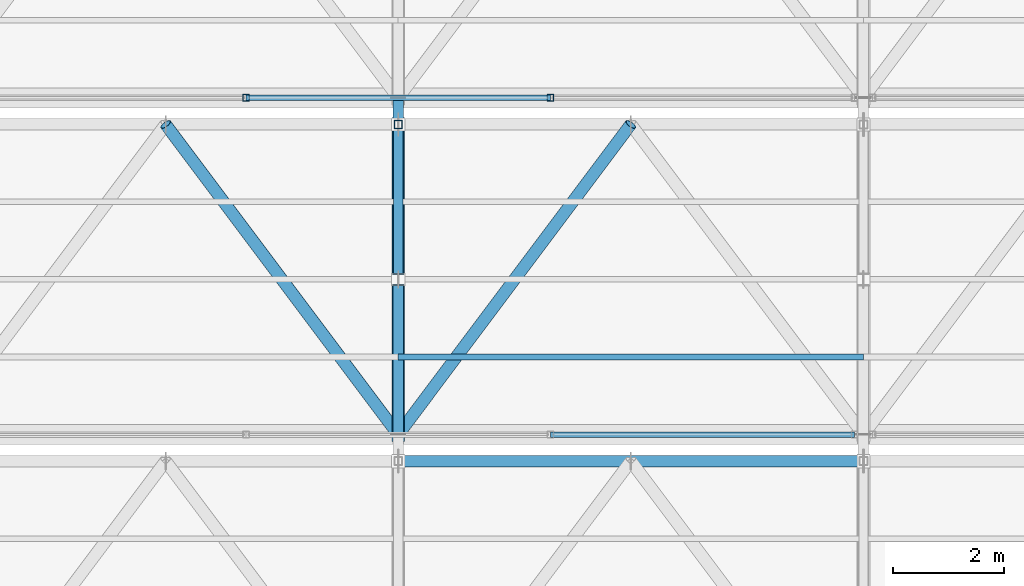
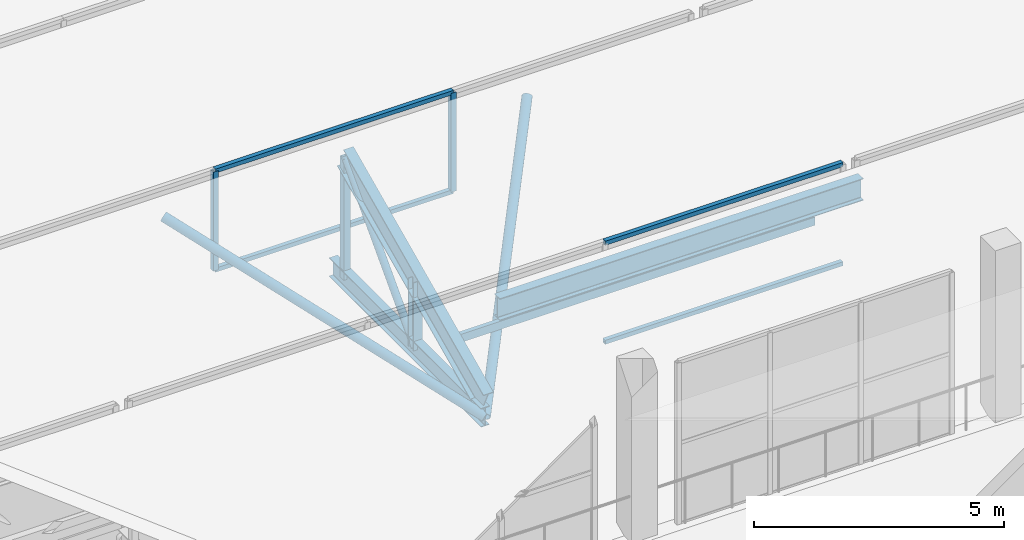
# One storey, part 92 of 217: 15 members, 2 elements without a shape of their own.
"""IFC4 building model written with IfcOpenShell, lengths in metres."""

from ifc_helpers import new_model, si_unit, direction, frame, origin, origin_2d, place, context, subcontext, project, spatial, hollow_rectangle, hollow_circle, i_section, extrude, material, material_profile, profile_set, type_object, element, aggregate, save


model = new_model("IFC4")

# Units and contexts
model_context = context("Model", 3, precision=1e-05, world=origin(), true_north=direction((0.0, 1.0)))
body_context = subcontext(model_context, "Body", "Model", "MODEL_VIEW")
ifc_project = project(units=[si_unit("LENGTHUNIT", "METRE"), si_unit("AREAUNIT", "SQUARE_METRE"), si_unit("VOLUMEUNIT", "CUBIC_METRE"), si_unit("PLANEANGLEUNIT", "RADIAN"), si_unit("MASSUNIT", "GRAM", prefix="KILO")], contexts=[model_context])

# Site, building, storey
site_placement = place(None, origin())
site = spatial("IfcSite", under=ifc_project, at=site_placement, CompositionType="ELEMENT")
building_placement = place(site_placement, origin())
building = spatial("IfcBuilding", under=site, at=building_placement, Name="Zuvorla Pavilion Media Centre", CompositionType="ELEMENT")
storey_placement = place(building_placement, frame((0.0, 0.0, 9.60009765625)))
storey = spatial("IfcBuildingStorey", under=building, at=storey_placement, Name="L02", CompositionType="ELEMENT", Elevation=9.60009765625)

# Curtain wall, members
ifc_material_1 = material(Name="Unitised anodised aluminium and solar glass curtain wall", Category="aluminium")
curtain_wall_type = type_object("IfcCurtainWallType", Name="CW-SYS-88", PredefinedType="USERDEFINED", material=ifc_material_1)
curtain_wall_1_placement = place(storey_placement, origin())
curtain_wall_1 = element("IfcCurtainWall", 1, at=curtain_wall_1_placement, inside=storey, type_object=curtain_wall_type, Name="L02 curtain wall CW88 206", ObjectType="CURTAIN WALL", PredefinedType="USERDEFINED")
ifc_material_2 = material(Name="Anodised aluminium 6063-T6", Category="aluminium")
ifc_material_profile_1 = material_profile(ifc_material_2, hollow_rectangle(XDim=0.1201171875, YDim=0.1201171875, WallThickness=0.0048828125, at=origin_2d()), Name="ALU MULL 120x120")
ifc_profile_set_1 = profile_set([ifc_material_profile_1], Name="Anodised aluminium 6063-T6")
member_type_1 = type_object("IfcMemberType", Name="CW-MULL-120", PredefinedType="MULLION", material=ifc_profile_set_1)
member_1_placement = place(storey_placement, frame((106.05322265625, 101.760009765625, 0.0), z_axis=(0.0, 0.0, 1.0), x_axis=(1.0, 0.0, 0.0)))
member_1 = element("IfcMember", 2, at=member_1_placement, type_object=member_type_1, Name="CW88 mullion 2", PredefinedType="MULLION", context=body_context, shape_type="SweptSolid", body=[
    extrude(hollow_rectangle(XDim=0.1201171875, YDim=0.1201171875, WallThickness=0.0048828125, at=origin_2d()), origin(), (0.0, 0.0, 1.0), 2.419921875),
])
member_2_placement = place(storey_placement, frame((111.546630859375, 101.760009765625, 0.0), z_axis=(0.0, 0.0, 1.0), x_axis=(1.0, 0.0, 0.0)))
member_2 = element("IfcMember", 3, at=member_2_placement, type_object=member_type_1, Name="CW88 mullion 3", PredefinedType="MULLION", context=body_context, shape_type="SweptSolid", body=[
    extrude(hollow_rectangle(XDim=0.1201171875, YDim=0.1201171875, WallThickness=0.0048828125, at=origin_2d()), origin(), (0.0, 0.0, 1.0), 2.419921875),
])

curtain_wall_2_placement = place(storey_placement, origin())
curtain_wall_2 = element("IfcCurtainWall", 4, at=curtain_wall_2_placement, inside=storey, type_object=curtain_wall_type, Name="L02 curtain wall CW88 202", ObjectType="CURTAIN WALL", PredefinedType="USERDEFINED")
ifc_material_profile_2 = material_profile(ifc_material_2, hollow_rectangle(XDim=0.10009765625, YDim=0.10009765625, WallThickness=0.00439453125, at=origin_2d()), Name="ALU TRAN 100x100")
ifc_profile_set_2 = profile_set([ifc_material_profile_2], Name="Anodised aluminium 6063-T6")
member_type_2 = type_object("IfcMemberType", Name="CW-TRAN-100", PredefinedType="USERDEFINED", material=ifc_profile_set_2)
member_3_placement = place(storey_placement, frame((111.546630859375, 95.679931640625, 0.0), z_axis=(1.0, 0.0, 0.0), x_axis=(0.0, 1.0, 0.0)))
member_3 = element("IfcMember", 5, at=member_3_placement, type_object=member_type_2, Name="CW88 transom 3.1", ObjectType="TRANSOM", PredefinedType="USERDEFINED", context=body_context, shape_type="SweptSolid", body=[
    extrude(hollow_rectangle(XDim=0.10009765625, YDim=0.10009765625, WallThickness=0.00439453125, at=origin_2d()), origin(), (0.0, 0.0, 1.0), 5.493408203125),
])
member_4_placement = place(storey_placement, frame((111.546630859375, 95.679931640625, 2.419921875), z_axis=(1.0, 0.0, 0.0), x_axis=(0.0, 1.0, 0.0)))
member_4 = element("IfcMember", 6, at=member_4_placement, type_object=member_type_2, Name="CW88 transom 3.2", ObjectType="TRANSOM", PredefinedType="USERDEFINED", context=body_context, shape_type="SweptSolid", body=[
    extrude(hollow_rectangle(XDim=0.10009765625, YDim=0.10009765625, WallThickness=0.00439453125, at=origin_2d()), origin(), (0.0, 0.0, 1.0), 5.493408203125),
])
aggregate(curtain_wall_2, [member_3, member_4])

# Member
member_5_placement = place(storey_placement, frame((106.05322265625, 101.760009765625, 0.0), z_axis=(1.0, 0.0, 0.0), x_axis=(0.0, 1.0, 0.0)))
member_5 = element("IfcMember", 7, at=member_5_placement, type_object=member_type_2, Name="CW88 transom 2.1", ObjectType="TRANSOM", PredefinedType="USERDEFINED", context=body_context, shape_type="SweptSolid", body=[
    extrude(hollow_rectangle(XDim=0.10009765625, YDim=0.10009765625, WallThickness=0.00439453125, at=origin_2d()), origin(), (0.0, 0.0, 1.0), 5.493408203125),
])

member_6_placement = place(storey_placement, frame((106.05322265625, 101.760009765625, 2.419921875), z_axis=(1.0, 0.0, 0.0), x_axis=(0.0, 1.0, 0.0)))
member_6 = element("IfcMember", 8, at=member_6_placement, type_object=member_type_2, Name="CW88 transom 2.2", ObjectType="TRANSOM", PredefinedType="USERDEFINED", context=body_context, shape_type="SweptSolid", body=[
    extrude(hollow_rectangle(XDim=0.10009765625, YDim=0.10009765625, WallThickness=0.00439453125, at=origin_2d()), origin(), (0.0, 0.0, 1.0), 5.493408203125),
])

aggregate(curtain_wall_1, [member_1, member_2, member_5, member_6])

# Members
ifc_material_3 = material(Name="Steel S355", Category="steel")
ifc_material_profile_3 = material_profile(ifc_material_3, hollow_circle(Radius=0.084228515625, WallThickness=0.008056640625, at=origin_2d()), Name="CHS 168.3x8")
ifc_profile_set_3 = profile_set([ifc_material_profile_3], Name="Steel S355")
member_type_3 = type_object("IfcMemberType", Name="MEM-BRC-CHS168", PredefinedType="BRACE", material=ifc_profile_set_3)
member_7_placement = place(storey_placement, frame((108.800048828125, 98.47998046875, -0.880126953125), z_axis=(0.0, 0.68676242614, 0.726881950555), x_axis=(-1.0, 0.0, 0.0)))
element("IfcMember", 9, at=member_7_placement, inside=storey, type_object=member_type_3, Name="L02 diagonal brace TB03 154", PredefinedType="BRACE", context=body_context, shape_type="SweptSolid", body=[
    extrude(hollow_circle(Radius=0.084228515625, WallThickness=0.008056640625, at=origin_2d()), origin(), (0.0, 0.0, 1.0), 4.0771484375),
])
ifc_material_profile_4 = material_profile(ifc_material_3, hollow_circle(Radius=0.109619140625, WallThickness=0.010009765625, at=origin_2d()), Name="CHS 219.1x10")
ifc_profile_set_4 = profile_set([ifc_material_profile_4], Name="Steel S355")
member_type_4 = type_object("IfcMemberType", Name="MEM-BRC-CHS219", PredefinedType="BRACE", material=ifc_profile_set_4)
for number, where, z_axis, x_axis, name in (
    (10, (104.60009765625, 101.280029296875, 2.08349609375), (0.552511596944, -0.736703540702, -0.389870271191), (0.800008370399, 0.599988839305, 0.0), "L02 diagonal brace TB02 197"),
    (11, (108.800048828125, 95.679931640625, -0.880126953125), (0.552511596944, 0.736703540702, 0.389870271191), (-0.800008370399, 0.599988839305, 0.0), "L02 diagonal brace TB02 202"),
):
    element("IfcMember", number, at=place(storey_placement, frame(where, z_axis=z_axis, x_axis=x_axis)), inside=storey, type_object=member_type_4, Name=name, PredefinedType="BRACE", context=body_context, shape_type="SweptSolid", body=[
        extrude(hollow_circle(Radius=0.109619140625, WallThickness=0.010009765625, at=origin_2d()), origin(), (0.0, 0.0, 1.0), 7.6015625),
    ])
ifc_material_profile_5 = material_profile(ifc_material_3, i_section(OverallWidth=0.19140625, OverallDepth=0.4599609375, WebThickness=0.010009765625, FlangeThickness=0.01611328125, FilletRadius=0.01025390625, at=origin_2d()), Name="UB 457x191x82")
ifc_profile_set_5 = profile_set([ifc_material_profile_5], Name="Steel S355")
member_type_5 = type_object("IfcMemberType", Name="MEM-CHD-UB457", PredefinedType="CHORD", material=ifc_profile_set_5)
member_8_placement = place(storey_placement, frame((108.800048828125, 95.679931640625, -0.880126953125), z_axis=(0.0, 1.0, 0.0), x_axis=(-1.0, 0.0, 0.0)))
element("IfcMember", 12, at=member_8_placement, inside=storey, type_object=member_type_5, Name="L02 chord TC03 151", PredefinedType="CHORD", context=body_context, shape_type="SweptSolid", body=[
    extrude(i_section(OverallWidth=0.19140625, OverallDepth=0.4599609375, WebThickness=0.010009765625, FlangeThickness=0.01611328125, FilletRadius=0.01025390625, at=origin_2d()), origin(), (0.0, 0.0, 1.0), 6.080078125),
])
ifc_material_profile_6 = material_profile(ifc_material_3, i_section(OverallWidth=0.2099609375, OverallDepth=0.53662109375, WebThickness=0.0107421875, FlangeThickness=0.017333984375, FilletRadius=0.0126953125, at=origin_2d()), Name="UB 533x210x101")
ifc_profile_set_6 = profile_set([ifc_material_profile_6], Name="Steel S355")
member_type_6 = type_object("IfcMemberType", Name="MEM-CHD-UB533", PredefinedType="CHORD", material=ifc_profile_set_6)
member_9_placement = place(storey_placement, frame((108.800048828125, 95.199951171875, 2.08349609375), z_axis=(1.0, 0.0, 0.0), x_axis=(0.0, 1.0, 0.0)))
element("IfcMember", 13, at=member_9_placement, inside=storey, type_object=member_type_6, Name="L02 chord TC02 108", PredefinedType="CHORD", context=body_context, shape_type="SweptSolid", body=[
    extrude(i_section(OverallWidth=0.2099609375, OverallDepth=0.53662109375, WebThickness=0.0107421875, FlangeThickness=0.017333984375, FilletRadius=0.0126953125, at=origin_2d()), origin(), (0.0, 0.0, 1.0), 8.39990234375),
])
ifc_material_profile_7 = material_profile(ifc_material_3, i_section(OverallWidth=0.22900390625, OverallDepth=0.6123046875, WebThickness=0.011962890625, FlangeThickness=0.01953125, FilletRadius=0.0126953125, at=origin_2d()), Name="UB 610x229x125")
ifc_profile_set_7 = profile_set([ifc_material_profile_7], Name="Steel S355")
member_type_7 = type_object("IfcMemberType", Name="MEM-CHD-UB610", PredefinedType="CHORD", material=ifc_profile_set_7)
member_10_placement = place(storey_placement, frame((108.800048828125, 95.679931640625, -0.5166015625), z_axis=(0.0, 0.907005731366, 0.421118277053), x_axis=(-1.0, 0.0, 0.0)))
element("IfcMember", 14, at=member_10_placement, inside=storey, type_object=member_type_7, Name="L02 chord TC01 152", PredefinedType="CHORD", context=body_context, shape_type="SweptSolid", body=[
    extrude(i_section(OverallWidth=0.22900390625, OverallDepth=0.6123046875, WebThickness=0.011962890625, FlangeThickness=0.01953125, FilletRadius=0.0126953125, at=origin_2d()), origin(), (0.0, 0.0, 1.0), 6.17431640625),
])
ifc_material_profile_8 = material_profile(ifc_material_3, hollow_rectangle(XDim=0.10009765625, YDim=0.199951171875, WallThickness=0.008056640625, at=origin_2d()), Name="RHS 200x100x8")
ifc_profile_set_8 = profile_set([ifc_material_profile_8], Name="Steel S355")
member_type_8 = type_object("IfcMemberType", Name="MEM-PUR-RHS200", PredefinedType="PURLIN", material=ifc_profile_set_8)
member_11_placement = place(storey_placement, frame((108.800048828125, 97.080078125, 0.133544921875), z_axis=(1.0, 0.0, 0.0), x_axis=(0.0, 1.0, 0.0)))
element("IfcMember", 15, at=member_11_placement, inside=storey, type_object=member_type_8, Name="L02 purlin PR01 204", PredefinedType="PURLIN", context=body_context, shape_type="SweptSolid", body=[
    extrude(hollow_rectangle(XDim=0.10009765625, YDim=0.199951171875, WallThickness=0.008056640625, at=origin_2d()), origin(), (0.0, 0.0, 1.0), 8.39990234375),
])
ifc_material_profile_9 = material_profile(ifc_material_3, hollow_rectangle(XDim=0.14990234375, YDim=0.14990234375, WallThickness=0.008056640625, at=origin_2d()), Name="SHS 150x150x8")
ifc_profile_set_9 = profile_set([ifc_material_profile_9], Name="Steel S355")
member_type_9 = type_object("IfcMemberType", Name="MEM-STR-SHS150", PredefinedType="STRUT", material=ifc_profile_set_9)
member_12_placement = place(storey_placement, frame((108.800048828125, 101.280029296875, -0.880126953125), z_axis=(0.0, 0.0, 1.0), x_axis=(1.0, 0.0, 0.0)))
element("IfcMember", 16, at=member_12_placement, inside=storey, type_object=member_type_9, Name="L02 vertical strut TS01 153", PredefinedType="STRUT", context=body_context, shape_type="SweptSolid", body=[
    extrude(hollow_rectangle(XDim=0.14990234375, YDim=0.14990234375, WallThickness=0.008056640625, at=origin_2d()), origin(), (0.0, 0.0, 1.0), 2.963623046875),
])
ifc_material_profile_10 = material_profile(ifc_material_3, i_section(OverallWidth=0.205810546875, OverallDepth=0.209716796875, WebThickness=0.009521484375, FlangeThickness=0.01416015625, FilletRadius=0.01025390625, at=origin_2d()), Name="UC 203x203x60")
ifc_profile_set_10 = profile_set([ifc_material_profile_10], Name="Steel S355")
member_type_10 = type_object("IfcMemberType", Name="MEM-STR-UC203", PredefinedType="STRUT", material=ifc_profile_set_10)
member_13_placement = place(storey_placement, frame((108.800048828125, 98.47998046875, -0.880126953125), z_axis=(0.0, 0.0, 1.0), x_axis=(1.0, 0.0, 0.0)))
element("IfcMember", 17, at=member_13_placement, inside=storey, type_object=member_type_10, Name="L02 vertical strut TS02 155", PredefinedType="STRUT", context=body_context, shape_type="SweptSolid", body=[
    extrude(i_section(OverallWidth=0.205810546875, OverallDepth=0.209716796875, WebThickness=0.009521484375, FlangeThickness=0.01416015625, FilletRadius=0.01025390625, at=origin_2d()), origin(), (0.0, 0.0, 1.0), 1.66357421875),
])

save(model, "model.ifc")
